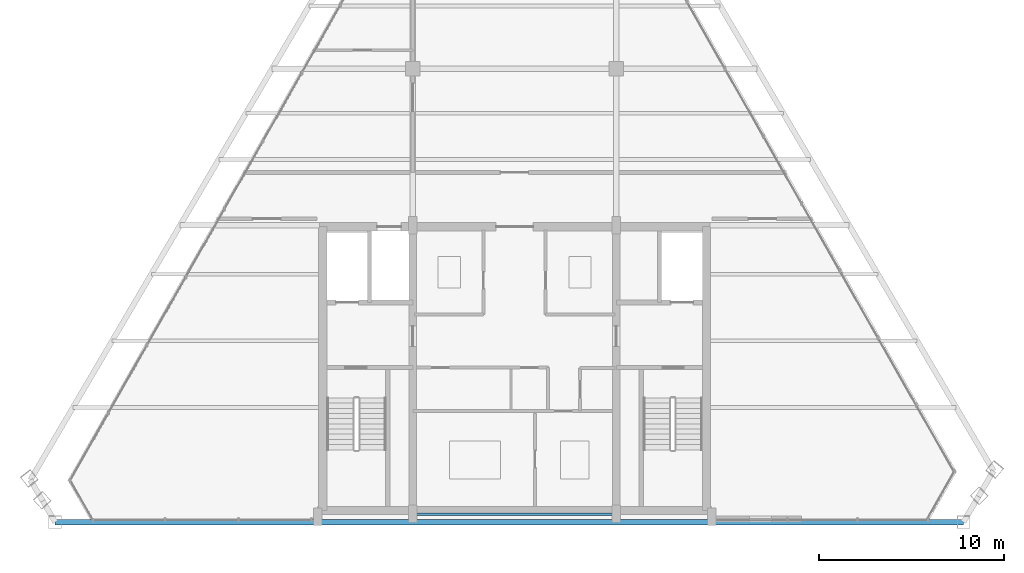
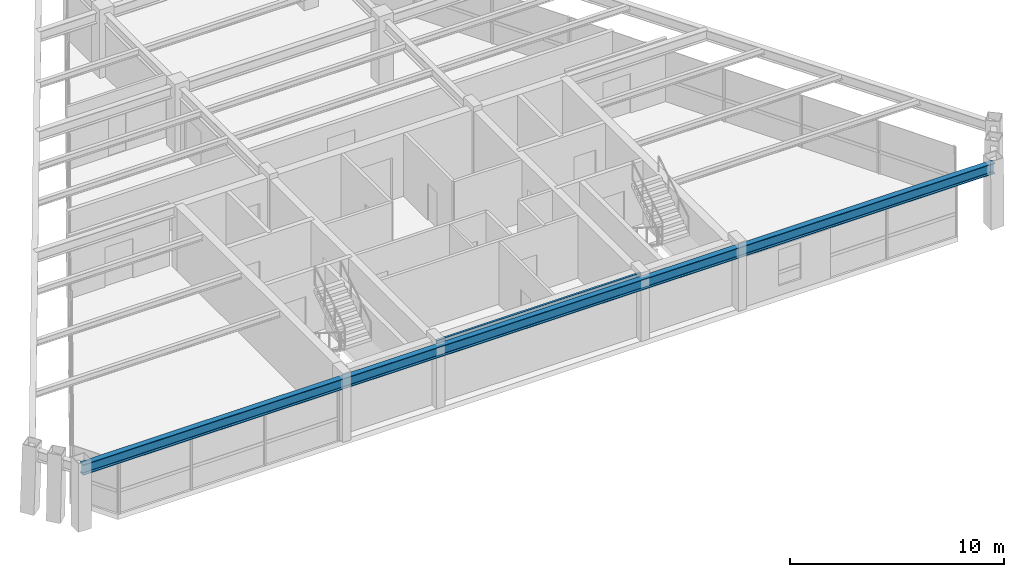
# One storey, part 3 of 12: 2 beams.
"""IFC4 building model written with IfcOpenShell, lengths in metres."""

from ifc_helpers import new_model, si_unit, direction, frame, origin, origin_2d, place, context, subcontext, project, spatial, i_section, extrude, source, transform, mapped, material, material_profile, profile_set, type_object, type_shapes, element, save


model = new_model("IFC4")

# Units and contexts
model_context = context("Model", 3, precision=1e-05, world=origin(), true_north=direction((0.0, 1.0)))
body_context = subcontext(model_context, "Body", "Model", "MODEL_VIEW")
ifc_project = project(units=[si_unit("LENGTHUNIT", "METRE"), si_unit("AREAUNIT", "SQUARE_METRE"), si_unit("VOLUMEUNIT", "CUBIC_METRE"), si_unit("PLANEANGLEUNIT", "RADIAN"), si_unit("MASSUNIT", "GRAM", prefix="KILO")], contexts=[model_context])

# Site, building, storey
site_placement = place(None, origin())
site = spatial("IfcSite", under=ifc_project, at=site_placement, CompositionType="ELEMENT")
building_placement = place(site_placement, origin())
building = spatial("IfcBuilding", under=site, at=building_placement, Name="Varnakhor Terracotta Tower", CompositionType="ELEMENT")
storey_placement = place(building_placement, frame((0.0, 0.0, 309.699951171875)))
storey = spatial("IfcBuildingStorey", under=building, at=storey_placement, Name="L81 Crown", CompositionType="ELEMENT", Elevation=309.699951171875)

# Beams
ifc_material = material(Name="Steel S355", Category="steel")
ifc_material_profile_1 = material_profile(ifc_material, i_section(OverallWidth=0.1201171875, OverallDepth=0.239990234375, WebThickness=0.006103515625, FlangeThickness=0.009765625, FilletRadius=0.01806640625, at=origin_2d()), Name="IPE240")
ifc_profile_set_1 = profile_set([ifc_material_profile_1], Name="Steel S355")
beam_type_1 = type_object("IfcBeamType", Name="LNT-IPE240", PredefinedType="LINTEL", material=ifc_profile_set_1)
shared_shape_1 = source(origin(), body_context, "Body", "SweptSolid", [
    extrude(i_section(OverallWidth=0.1201171875, OverallDepth=0.239990234375, WebThickness=0.006103515625, FlangeThickness=0.009765625, FilletRadius=0.01806640625, at=origin_2d()), origin(), (0.0, 0.0, 1.0), 11.0),
])
type_shapes(beam_type_1, [shared_shape_1])
beam_1_placement = place(storey_placement, frame((-5.5, 0.419921875, 3.47998046875), z_axis=(1.0, 0.0, 0.0), x_axis=(0.0, 1.0, 0.0)))
element("IfcBeam", 1, at=beam_1_placement, inside=storey, type_object=beam_type_1, Name="L81 Crown Core South Coupling Lintel", PredefinedType="LINTEL", context=body_context, shape_type="MappedRepresentation", body=[
    mapped(shared_shape_1, transform((0.0, 0.0, 0.0), scale=1.0)),
])
ifc_material_profile_2 = material_profile(ifc_material, i_section(OverallWidth=0.300048828125, OverallDepth=0.60009765625, WebThickness=0.015380859375, FlangeThickness=0.030029296875, FilletRadius=0.01806640625, at=origin_2d()), Name="HEB600")
ifc_profile_set_2 = profile_set([ifc_material_profile_2], Name="Steel S355")
beam_type_2 = type_object("IfcBeamType", Name="BM-HEB600", PredefinedType="BEAM", material=ifc_profile_set_2)
shared_shape_2 = source(origin(), body_context, "Body", "SweptSolid", [
    extrude(i_section(OverallWidth=0.300048828125, OverallDepth=0.60009765625, WebThickness=0.015380859375, FlangeThickness=0.030029296875, FilletRadius=0.01806640625, at=origin_2d()), origin(), (0.0, 0.0, 1.0), 49.094482421875),
])
type_shapes(beam_type_2, [shared_shape_2])
beam_2_placement = place(storey_placement, frame((-24.83349609375, 0.0, 3.300048828125), z_axis=(1.0, 0.0, 0.0), x_axis=(0.0, 1.0, 0.0)))
element("IfcBeam", 2, at=beam_2_placement, inside=storey, type_object=beam_type_2, Name="L81 Crown Perimeter Spandrel 1", PredefinedType="BEAM", context=body_context, shape_type="MappedRepresentation", body=[
    mapped(shared_shape_2, transform((0.0, 0.0, 0.0), scale=1.0)),
])

save(model, "model.ifc")
